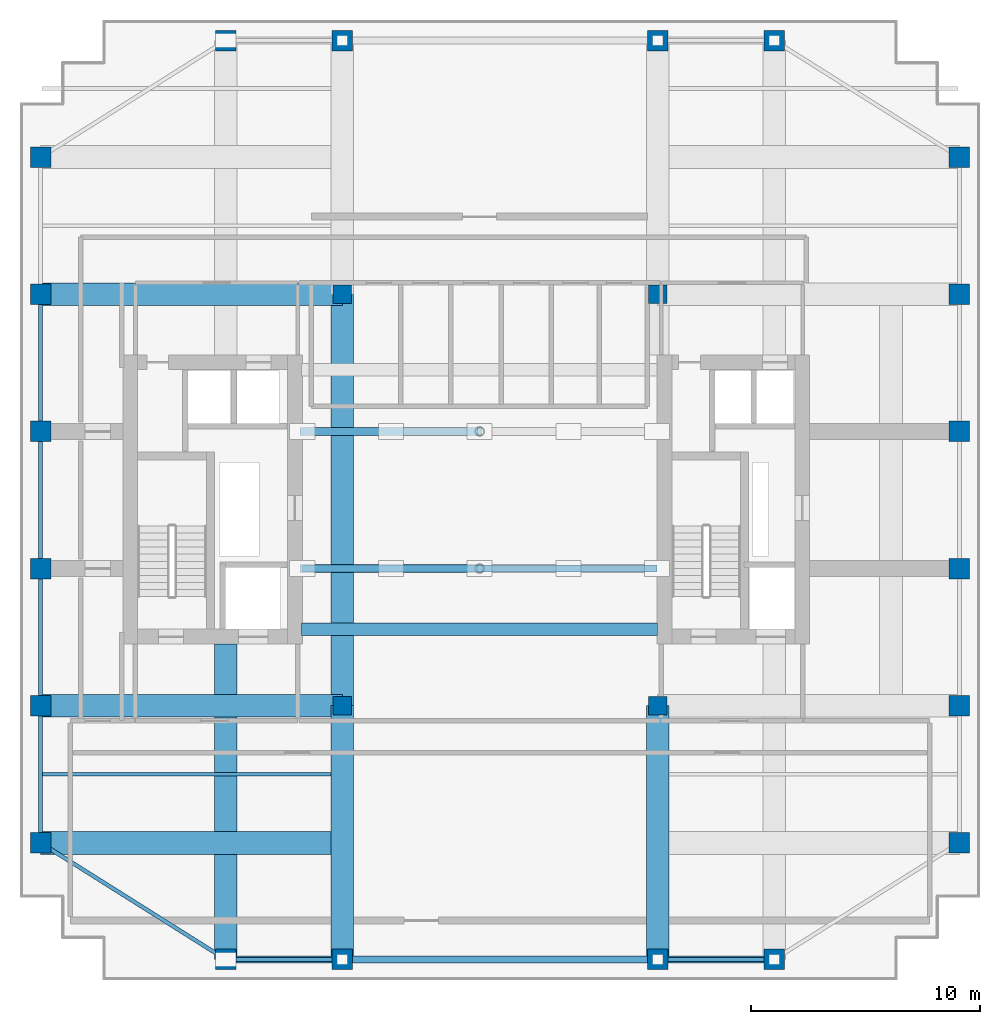
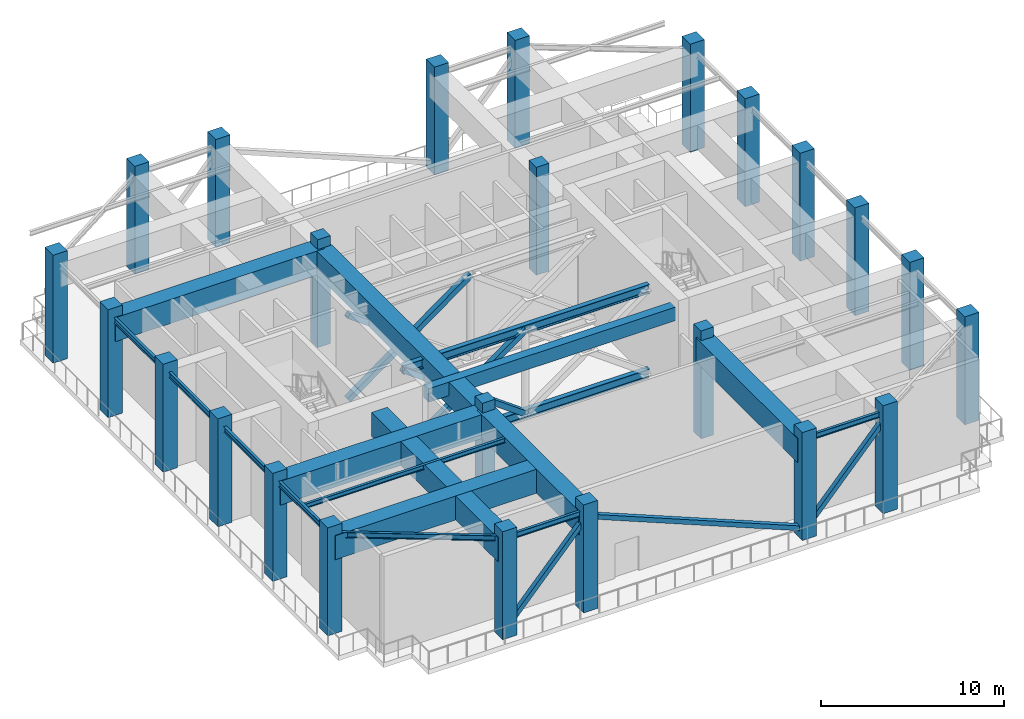
# One storey, part 1 of 9: 24 columns, 16 beams, 10 members.
"""IFC4 building model written with IfcOpenShell, lengths in metres."""

from ifc_helpers import new_model, si_unit, direction, frame, origin, origin_2d, place, context, subcontext, project, spatial, rectangle, hollow_rectangle, i_section, extrude, source, transform, mapped, material, material_profile, profile_set, type_object, element, save


model = new_model("IFC4")

# Units and contexts
model_context = context("Model", 3, precision=1e-05, world=origin(), true_north=direction((0.0, 1.0)))
body_context = subcontext(model_context, "Body", "Model", "MODEL_VIEW")
ifc_project = project(units=[si_unit("LENGTHUNIT", "METRE"), si_unit("AREAUNIT", "SQUARE_METRE"), si_unit("VOLUMEUNIT", "CUBIC_METRE"), si_unit("PLANEANGLEUNIT", "RADIAN"), si_unit("MASSUNIT", "GRAM", prefix="KILO")], contexts=[model_context])

# Site, building, storey
site_placement = place(None, origin())
site = spatial("IfcSite", under=ifc_project, at=site_placement, CompositionType="ELEMENT")
building_placement = place(site_placement, origin())
building = spatial("IfcBuilding", under=site, at=building_placement, Name="Khoralis Quay Care Tower", CompositionType="ELEMENT")
storey_placement = place(building_placement, frame((0.0, 0.0, 220.5)))
storey = spatial("IfcBuildingStorey", under=building, at=storey_placement, Name="L58", CompositionType="ELEMENT", Elevation=220.5)

# Columns
ifc_material_1 = material(Name="Concrete C65/80", Category="concrete")
ifc_material_profile_1 = material_profile(ifc_material_1, rectangle(XDim=0.89990234375, YDim=0.89990234375, at=origin_2d()), Name="Concrete C65/80")
ifc_profile_set_1 = profile_set([ifc_material_profile_1], Name="Concrete C65/80")
column_type_1 = type_object("IfcColumnType", Name="COL-C900", PredefinedType="COLUMN", material=ifc_profile_set_1)
shared_shape_1 = source(origin(), body_context, "Body", "SweptSolid", [
    extrude(rectangle(XDim=0.89990234375, YDim=0.89990234375, at=origin_2d()), origin(), (0.0, 0.0, 1.0), 7.199951171875),
])
for number, where, z_axis, x_axis, name in (
    (1, (12.0, 0.89990234375, 0.0), (0.0, 0.0, 1.0), (1.0, 0.0, 0.0), "COL-TWR-L58-X120Y9"),
    (2, (12.0, 41.10009765625, 0.0), (0.0, 0.0, 1.0), (1.0, 0.0, 0.0), "COL-TWR-L58-X120Y411"),
    (3, (17.10009765625, 0.89990234375, 0.0), (0.0, 0.0, 1.0), (1.0, 0.0, 0.0), "COL-TWR-L58-X171Y9"),
    (4, (17.10009765625, 41.10009765625, 0.0), (0.0, 0.0, 1.0), (1.0, 0.0, 0.0), "COL-TWR-L58-X171Y411"),
    (5, (30.89990234375, 0.89990234375, 0.0), (0.0, 0.0, 1.0), (1.0, 0.0, 0.0), "COL-TWR-L58-X309Y9"),
    (6, (30.89990234375, 41.10009765625, 0.0), (0.0, 0.0, 1.0), (1.0, 0.0, 0.0), "COL-TWR-L58-X309Y411"),
    (7, (36.0, 0.89990234375, 0.0), (0.0, 0.0, 1.0), (1.0, 0.0, 0.0), "COL-TWR-L58-X360Y9"),
    (8, (36.0, 41.10009765625, 0.0), (0.0, 0.0, 1.0), (1.0, 0.0, 0.0), "COL-TWR-L58-X360Y411"),
    (9, (3.89990234375, 6.0, 0.0), (0.0, 0.0, 1.0), (1.0, 0.0, 0.0), "COL-TWR-L58-X39Y60"),
    (10, (44.10009765625, 6.0, 0.0), (0.0, 0.0, 1.0), (1.0, 0.0, 0.0), "COL-TWR-L58-X441Y60"),
    (11, (3.89990234375, 12.0, 0.0), (0.0, 0.0, 1.0), (1.0, 0.0, 0.0), "COL-TWR-L58-X39Y120"),
    (12, (44.10009765625, 12.0, 0.0), (0.0, 0.0, 1.0), (1.0, 0.0, 0.0), "COL-TWR-L58-X441Y120"),
    (13, (3.89990234375, 18.0, 0.0), (0.0, 0.0, 1.0), (1.0, 0.0, 0.0), "COL-TWR-L58-X39Y180"),
    (14, (44.10009765625, 18.0, 0.0), (0.0, 0.0, 1.0), (1.0, 0.0, 0.0), "COL-TWR-L58-X441Y180"),
    (15, (3.89990234375, 24.0, 0.0), (0.0, 0.0, 1.0), (1.0, 0.0, 0.0), "COL-TWR-L58-X39Y240"),
    (16, (44.10009765625, 24.0, 0.0), (0.0, 0.0, 1.0), (1.0, 0.0, 0.0), "COL-TWR-L58-X441Y240"),
    (17, (3.89990234375, 30.0, 0.0), (0.0, 0.0, 1.0), (1.0, 0.0, 0.0), "COL-TWR-L58-X39Y300"),
    (18, (44.10009765625, 30.0, 0.0), (0.0, 0.0, 1.0), (1.0, 0.0, 0.0), "COL-TWR-L58-X441Y300"),
    (19, (3.89990234375, 36.0, 0.0), (0.0, 0.0, 1.0), (1.0, 0.0, 0.0), "COL-TWR-L58-X39Y360"),
    (20, (44.10009765625, 36.0, 0.0), (0.0, 0.0, 1.0), (1.0, 0.0, 0.0), "COL-TWR-L58-X441Y360"),
):
    element("IfcColumn", number, at=place(storey_placement, frame(where, z_axis=z_axis, x_axis=x_axis)), inside=storey, type_object=column_type_1, Name=name, PredefinedType="COLUMN", context=body_context, shape_type="MappedRepresentation", body=[
        mapped(shared_shape_1, transform((0.0, 0.0, 0.0), scale=1.0)),
    ])
ifc_material_2 = material(Name="Concrete C50/60", Category="concrete")
ifc_material_profile_2 = material_profile(ifc_material_2, rectangle(XDim=0.800048828125, YDim=0.800048828125, at=origin_2d()), Name="Concrete C50/60")
ifc_profile_set_2 = profile_set([ifc_material_profile_2], Name="Concrete C50/60")
column_type_2 = type_object("IfcColumnType", Name="COL-C800", PredefinedType="COLUMN", material=ifc_profile_set_2)
shared_shape_2 = source(origin(), body_context, "Body", "SweptSolid", [
    extrude(rectangle(XDim=0.800048828125, YDim=0.800048828125, at=origin_2d()), origin(), (0.0, 0.0, 1.0), 7.199951171875),
])
for number, where, z_axis, x_axis, name in (
    (21, (17.10009765625, 12.0, 0.0), (0.0, 0.0, 1.0), (1.0, 0.0, 0.0), "COL-TWR-L58-X171Y120"),
    (22, (17.10009765625, 30.0, 0.0), (0.0, 0.0, 1.0), (1.0, 0.0, 0.0), "COL-TWR-L58-X171Y300"),
    (23, (30.89990234375, 12.0, 0.0), (0.0, 0.0, 1.0), (1.0, 0.0, 0.0), "COL-TWR-L58-X309Y120"),
    (24, (30.89990234375, 30.0, 0.0), (0.0, 0.0, 1.0), (1.0, 0.0, 0.0), "COL-TWR-L58-X309Y300"),
):
    element("IfcColumn", number, at=place(storey_placement, frame(where, z_axis=z_axis, x_axis=x_axis)), inside=storey, type_object=column_type_2, Name=name, PredefinedType="COLUMN", context=body_context, shape_type="MappedRepresentation", body=[
        mapped(shared_shape_2, transform((0.0, 0.0, 0.0), scale=1.0)),
    ])

# Beams
ifc_material_profile_3 = material_profile(ifc_material_1, rectangle(XDim=0.550048828125, YDim=0.89990234375, at=origin_2d()), Name="Concrete C65/80")
ifc_profile_set_3 = profile_set([ifc_material_profile_3], Name="Concrete C65/80")
beam_type_1 = type_object("IfcBeamType", Name="CB-RC550X900", PredefinedType="LINTEL", material=ifc_profile_set_3)
shared_shape_3 = source(origin(), body_context, "Body", "SweptSolid", [
    extrude(rectangle(XDim=0.550048828125, YDim=0.89990234375, at=origin_2d()), origin(), (0.0, 0.0, 1.0), 15.579833984375),
])
beam_1_placement = place(storey_placement, frame((15.320068359375, 15.35009765625, 6.10009765625), z_axis=(1.0, 0.0, 0.0), x_axis=(0.0, 1.0, 0.0)))
element("IfcBeam", 25, at=beam_1_placement, inside=storey, type_object=beam_type_1, Name="L58 South Core Coupling Lintel", PredefinedType="LINTEL", context=body_context, shape_type="MappedRepresentation", body=[
    mapped(shared_shape_3, transform((0.0, 0.0, 0.0), scale=1.0)),
])
ifc_material_3 = material(Name="Concrete C80/95", Category="concrete")
ifc_material_profile_4 = material_profile(ifc_material_3, rectangle(XDim=1.0, YDim=1.60009765625, at=origin_2d()), Name="Concrete C80/95")
ifc_profile_set_4 = profile_set([ifc_material_profile_4], Name="Concrete C80/95")
beam_type_2 = type_object("IfcBeamType", Name="TG-RC1000X1600", PredefinedType="BEAM", material=ifc_profile_set_4)
shared_shape_4 = source(origin(), body_context, "Body", "SweptSolid", [
    extrude(rectangle(XDim=1.0, YDim=1.60009765625, at=origin_2d()), origin(), (0.0, 0.0, 1.0), 11.10009765625),
])
for number, where, z_axis, x_axis, name in (
    (26, (17.10009765625, 0.89990234375, 5.75), (0.0, 1.0, 0.0), (-1.0, 0.0, 0.0), "L58 Transfer girder BM-TGYS-L58-171"),
    (27, (30.89990234375, 0.89990234375, 5.75), (0.0, 1.0, 0.0), (-1.0, 0.0, 0.0), "L58 Transfer girder BM-TGYS-L58-309"),
):
    element("IfcBeam", number, at=place(storey_placement, frame(where, z_axis=z_axis, x_axis=x_axis)), inside=storey, type_object=beam_type_2, Name=name, PredefinedType="BEAM", context=body_context, shape_type="MappedRepresentation", body=[
        mapped(shared_shape_4, transform((0.0, 0.0, 0.0), scale=1.0)),
    ])
shared_shape_5 = source(origin(), body_context, "Body", "SweptSolid", [
    extrude(rectangle(XDim=1.0, YDim=1.60009765625, at=origin_2d()), origin(), (0.0, 0.0, 1.0), 18.0),
])
beam_2_placement = place(storey_placement, frame((17.10009765625, 12.0, 5.75), z_axis=(0.0, 1.0, 0.0), x_axis=(-1.0, 0.0, 0.0)))
element("IfcBeam", 28, at=beam_2_placement, inside=storey, type_object=beam_type_2, Name="L58 Transfer girder BM-TGSW-L58", PredefinedType="BEAM", context=body_context, shape_type="MappedRepresentation", body=[
    mapped(shared_shape_5, transform((0.0, 0.0, 0.0), scale=1.0)),
])
shared_shape_6 = source(origin(), body_context, "Body", "SweptSolid", [
    extrude(rectangle(XDim=1.0, YDim=1.60009765625, at=origin_2d()), origin(), (0.0, 0.0, 1.0), 12.712158203125),
])
beam_3_placement = place(storey_placement, frame((3.89990234375, 6.0, 5.75), z_axis=(1.0, 0.0, 0.0), x_axis=(0.0, 1.0, 0.0)))
element("IfcBeam", 29, at=beam_3_placement, inside=storey, type_object=beam_type_2, Name="L58 Transfer girder BM-TGXW-L58-60", PredefinedType="BEAM", context=body_context, shape_type="MappedRepresentation", body=[
    mapped(shared_shape_6, transform((0.0, 0.0, 0.0), scale=1.0)),
])
shared_shape_7 = source(origin(), body_context, "Body", "SweptSolid", [
    extrude(rectangle(XDim=1.0, YDim=1.60009765625, at=origin_2d()), origin(), (0.0, 0.0, 1.0), 13.2001953125),
])
for number, where, z_axis, x_axis, name in (
    (30, (3.89990234375, 12.0, 5.75), (1.0, 0.0, 0.0), (0.0, 1.0, 0.0), "L58 Transfer girder BM-TGXW-L58-120"),
    (31, (3.89990234375, 30.0, 5.75), (1.0, 0.0, 0.0), (0.0, 1.0, 0.0), "L58 Transfer girder BM-TGXW-L58-300"),
):
    element("IfcBeam", number, at=place(storey_placement, frame(where, z_axis=z_axis, x_axis=x_axis)), inside=storey, type_object=beam_type_2, Name=name, PredefinedType="BEAM", context=body_context, shape_type="MappedRepresentation", body=[
        mapped(shared_shape_7, transform((0.0, 0.0, 0.0), scale=1.0)),
    ])
ifc_material_4 = material(Name="Steel S355", Category="steel")
ifc_material_profile_5 = material_profile(ifc_material_4, i_section(OverallWidth=0.169921875, OverallDepth=0.360107421875, WebThickness=0.008056640625, FlangeThickness=0.0126953125, FilletRadius=0.01806640625, at=origin_2d()), Name="Steel S355")
ifc_profile_set_5 = profile_set([ifc_material_profile_5], Name="Steel S355")
beam_type_3 = type_object("IfcBeamType", Name="BM-IPE360", PredefinedType="SPANDREL", material=ifc_profile_set_5)
shared_shape_8 = source(origin(), body_context, "Body", "SweptSolid", [
    extrude(i_section(OverallWidth=0.169921875, OverallDepth=0.360107421875, WebThickness=0.008056640625, FlangeThickness=0.0126953125, FilletRadius=0.01806640625, at=origin_2d()), origin(), (0.0, 0.0, 1.0), 5.10009765625),
])
for number, where, z_axis, x_axis, name in (
    (32, (12.0, 0.89990234375, 6.3701171875), (1.0, 0.0, 0.0), (0.0, 1.0, 0.0), "BM-TSP-L58-01"),
    (33, (30.89990234375, 0.89990234375, 6.3701171875), (1.0, 0.0, 0.0), (0.0, 1.0, 0.0), "BM-TSP-L58-02"),
):
    element("IfcBeam", number, at=place(storey_placement, frame(where, z_axis=z_axis, x_axis=x_axis)), inside=storey, type_object=beam_type_3, Name=name, PredefinedType="SPANDREL", context=body_context, shape_type="MappedRepresentation", body=[
        mapped(shared_shape_8, transform((0.0, 0.0, 0.0), scale=1.0)),
    ])
shared_shape_9 = source(origin(), body_context, "Body", "SweptSolid", [
    extrude(i_section(OverallWidth=0.169921875, OverallDepth=0.360107421875, WebThickness=0.008056640625, FlangeThickness=0.0126953125, FilletRadius=0.01806640625, at=origin_2d()), origin(), (0.0, 0.0, 1.0), 6.0),
])
for number, where, z_axis, x_axis, name in (
    (34, (3.89990234375, 6.0, 6.3701171875), (0.0, 1.0, 0.0), (-1.0, 0.0, 0.0), "BM-TSP-L58-05"),
    (35, (3.89990234375, 12.0, 6.3701171875), (0.0, 1.0, 0.0), (-1.0, 0.0, 0.0), "BM-TSP-L58-06"),
    (36, (3.89990234375, 18.0, 6.3701171875), (0.0, 1.0, 0.0), (-1.0, 0.0, 0.0), "BM-TSP-L58-07"),
    (37, (3.89990234375, 24.0, 6.3701171875), (0.0, 1.0, 0.0), (-1.0, 0.0, 0.0), "BM-TSP-L58-08"),
):
    element("IfcBeam", number, at=place(storey_placement, frame(where, z_axis=z_axis, x_axis=x_axis)), inside=storey, type_object=beam_type_3, Name=name, PredefinedType="SPANDREL", context=body_context, shape_type="MappedRepresentation", body=[
        mapped(shared_shape_9, transform((0.0, 0.0, 0.0), scale=1.0)),
    ])
shared_shape_10 = source(origin(), body_context, "Body", "SweptSolid", [
    extrude(i_section(OverallWidth=0.169921875, OverallDepth=0.360107421875, WebThickness=0.008056640625, FlangeThickness=0.0126953125, FilletRadius=0.01806640625, at=origin_2d()), origin(), (0.0, 0.0, 1.0), 9.572021484375),
])
beam_4_placement = place(storey_placement, frame((12.0, 0.89990234375, 6.3701171875), z_axis=(-0.846231136359, 0.532815975602, 0.0), x_axis=(-0.532815975602, -0.846231136359, 0.0)))
element("IfcBeam", 38, at=beam_4_placement, inside=storey, type_object=beam_type_3, Name="BM-TCR-L58-15", PredefinedType="SPANDREL", context=body_context, shape_type="MappedRepresentation", body=[
    mapped(shared_shape_10, transform((0.0, 0.0, 0.0), scale=1.0)),
])
shared_shape_11 = source(origin(), body_context, "Body", "SweptSolid", [
    extrude(rectangle(XDim=1.0, YDim=1.60009765625, at=origin_2d()), origin(), (0.0, 0.0, 1.0), 13.802001953125),
])
beam_5_placement = place(storey_placement, frame((12.0, 0.89990234375, 5.75), z_axis=(0.0, 1.0, 0.0), x_axis=(-1.0, 0.0, 0.0)))
element("IfcBeam", 39, at=beam_5_placement, inside=storey, type_object=beam_type_2, Name="L58 Transfer girder BM-TGYS-L58-120", PredefinedType="BEAM", context=body_context, shape_type="MappedRepresentation", body=[
    mapped(shared_shape_11, transform((0.0, 0.0, 0.0), scale=1.0)),
])
ifc_material_profile_6 = material_profile(ifc_material_4, i_section(OverallWidth=0.1650390625, OverallDepth=0.31005859375, WebThickness=0.005859375, FlangeThickness=0.009765625, FilletRadius=0.011962890625, at=origin_2d()), Name="Steel S355")
ifc_profile_set_6 = profile_set([ifc_material_profile_6], Name="Steel S355")
beam_type_4 = type_object("IfcBeamType", Name="BM-W310X39", PredefinedType="JOIST", material=ifc_profile_set_6)
shared_shape_12 = source(origin(), body_context, "Body", "SweptSolid", [
    extrude(i_section(OverallWidth=0.1650390625, OverallDepth=0.31005859375, WebThickness=0.005859375, FlangeThickness=0.009765625, FilletRadius=0.011962890625, at=origin_2d()), origin(), (0.0, 0.0, 1.0), 12.64111328125),
])
beam_6_placement = place(storey_placement, frame((3.970947265625, 9.0, 6.39501953125), z_axis=(1.0, 0.0, 0.0), x_axis=(0.0, 1.0, 0.0)))
element("IfcBeam", 40, at=beam_6_placement, inside=storey, type_object=beam_type_4, Name="BM-TJS-L58-19", PredefinedType="JOIST", context=body_context, shape_type="MappedRepresentation", body=[
    mapped(shared_shape_12, transform((0.0, 0.0, 0.0), scale=1.0)),
])

# Members
ifc_material_profile_7 = material_profile(ifc_material_4, i_section(OverallWidth=0.300048828125, OverallDepth=0.60009765625, WebThickness=0.015380859375, FlangeThickness=0.030029296875, FilletRadius=0.027099609375, at=origin_2d()), Name="Steel S355")
ifc_profile_set_7 = profile_set([ifc_material_profile_7], Name="Steel S355")
member_type_1 = type_object("IfcMemberType", Name="CH-HEB600", PredefinedType="CHORD", material=ifc_profile_set_7)
shared_shape_13 = source(origin(), body_context, "Body", "SweptSolid", [
    extrude(i_section(OverallWidth=0.300048828125, OverallDepth=0.60009765625, WebThickness=0.015380859375, FlangeThickness=0.030029296875, FilletRadius=0.027099609375, at=origin_2d()), origin(), (0.0, 0.0, 1.0), 15.52001953125),
])
for number, where, z_axis, x_axis, name in (
    (41, (15.35009765625, 18.0, 0.449951171875), (1.0, 0.0, 0.0), (0.0, 1.0, 0.0), "MBR-L58-CHB-18"),
    (42, (15.35009765625, 18.0, 6.10009765625), (1.0, 0.0, 0.0), (0.0, 1.0, 0.0), "MBR-L58-CHT-18"),
):
    element("IfcMember", number, at=place(storey_placement, frame(where, z_axis=z_axis, x_axis=x_axis)), inside=storey, type_object=member_type_1, Name=name, PredefinedType="CHORD", context=body_context, shape_type="MappedRepresentation", body=[
        mapped(shared_shape_13, transform((0.0, 0.0, 0.0), scale=1.0)),
    ])
ifc_material_profile_8 = material_profile(ifc_material_4, hollow_rectangle(XDim=0.35009765625, YDim=0.35009765625, WallThickness=0.01611328125, at=origin_2d()), Name="Steel S355")
ifc_profile_set_8 = profile_set([ifc_material_profile_8], Name="Steel S355")
member_type_2 = type_object("IfcMemberType", Name="BR-RHS350X350X16", PredefinedType="BRACE", material=ifc_profile_set_8)
shared_shape_14 = source(origin(), body_context, "Body", "SweptSolid", [
    extrude(hollow_rectangle(XDim=0.35009765625, YDim=0.35009765625, WallThickness=0.01611328125, at=origin_2d()), origin(), (0.0, 0.0, 1.0), 9.59912109375),
])
for number, where, z_axis, x_axis, name in (
    (43, (15.35009765625, 18.0, 0.449951171875), (0.808413709649, 0.0, 0.588614707642), (0.0, 1.0, 0.0), "L58 Outrigger Truss Continuous Diagonal 1"),
    (44, (15.35009765625, 24.0, 0.449951171875), (0.808413709649, 0.0, 0.588614707642), (0.0, 1.0, 0.0), "L58 Outrigger Truss Continuous Diagonal 5"),
):
    element("IfcMember", number, at=place(storey_placement, frame(where, z_axis=z_axis, x_axis=x_axis)), inside=storey, type_object=member_type_2, Name=name, PredefinedType="BRACE", context=body_context, shape_type="MappedRepresentation", body=[
        mapped(shared_shape_14, transform((0.0, 0.0, 0.0), scale=1.0)),
    ])
shared_shape_15 = source(origin(), body_context, "Body", "SweptSolid", [
    extrude(hollow_rectangle(XDim=0.35009765625, YDim=0.35009765625, WallThickness=0.01611328125, at=origin_2d()), origin(), (0.0, 0.0, 1.0), 4.789306640625),
])
for number, where, z_axis, x_axis, name in (
    (45, (15.35009765625, 18.0, 6.10009765625), (0.808416336354, 0.0, -0.588611100062), (0.0, 1.0, 0.0), "L58 Outrigger Split Diagonal 2A"),
    (46, (15.35009765625, 24.0, 6.10009765625), (0.808416336354, 0.0, -0.588611100062), (0.0, 1.0, 0.0), "L58 Outrigger Split Diagonal 6A"),
):
    element("IfcMember", number, at=place(storey_placement, frame(where, z_axis=z_axis, x_axis=x_axis)), inside=storey, type_object=member_type_2, Name=name, PredefinedType="BRACE", context=body_context, shape_type="MappedRepresentation", body=[
        mapped(shared_shape_15, transform((0.0, 0.0, 0.0), scale=1.0)),
    ])
shared_shape_16 = source(origin(), body_context, "Body", "SweptSolid", [
    extrude(hollow_rectangle(XDim=0.35009765625, YDim=0.35009765625, WallThickness=0.01611328125, at=origin_2d()), origin(), (0.0, 0.0, 1.0), 4.78955078125),
])
member_1_placement = place(storey_placement, frame((19.238037109375, 18.0, 3.26904296875), z_axis=(0.808433996298, 0.0, -0.588586844594), x_axis=(0.0, 1.0, 0.0)))
element("IfcMember", 47, at=member_1_placement, inside=storey, type_object=member_type_2, Name="L58 Outrigger Split Diagonal 2B", PredefinedType="BRACE", context=body_context, shape_type="MappedRepresentation", body=[
    mapped(shared_shape_16, transform((0.0, 0.0, 0.0), scale=1.0)),
])
ifc_material_profile_9 = material_profile(ifc_material_4, hollow_rectangle(XDim=0.300048828125, YDim=0.300048828125, WallThickness=0.01611328125, at=origin_2d()), Name="Steel S355")
ifc_profile_set_9 = profile_set([ifc_material_profile_9], Name="Steel S355")
member_type_3 = type_object("IfcMemberType", Name="BR-RHS300X300X16", PredefinedType="BRACE", material=ifc_profile_set_9)
shared_shape_17 = source(origin(), body_context, "Body", "SweptSolid", [
    extrude(hollow_rectangle(XDim=0.300048828125, YDim=0.300048828125, WallThickness=0.01611328125, at=origin_2d()), origin(), (0.0, 0.0, 1.0), 7.611572265625),
])
for number, where, z_axis, x_axis, name in (
    (48, (12.0, 0.89990234375, 0.449951171875), (0.670050319951, 0.0, 0.742315679973), (0.0, 1.0, 0.0), "L58 Belt truss diagonal 1"),
    (49, (30.89990234375, 0.89990234375, 0.449951171875), (0.670050319951, 0.0, 0.742315679973), (0.0, 1.0, 0.0), "L58 Belt truss diagonal 3"),
):
    element("IfcMember", number, at=place(storey_placement, frame(where, z_axis=z_axis, x_axis=x_axis)), inside=storey, type_object=member_type_3, Name=name, PredefinedType="BRACE", context=body_context, shape_type="MappedRepresentation", body=[
        mapped(shared_shape_17, transform((0.0, 0.0, 0.0), scale=1.0)),
    ])
shared_shape_18 = source(origin(), body_context, "Body", "SweptSolid", [
    extrude(hollow_rectangle(XDim=0.300048828125, YDim=0.300048828125, WallThickness=0.01611328125, at=origin_2d()), origin(), (0.0, 0.0, 1.0), 14.91162109375),
])
member_2_placement = place(storey_placement, frame((17.10009765625, 0.89990234375, 6.10009765625), z_axis=(0.925434771765, 0.0, -0.378906958512), x_axis=(0.0, 1.0, 0.0)))
element("IfcMember", 50, at=member_2_placement, inside=storey, type_object=member_type_3, Name="L58 Belt truss diagonal 2", PredefinedType="BRACE", context=body_context, shape_type="MappedRepresentation", body=[
    mapped(shared_shape_18, transform((0.0, 0.0, 0.0), scale=1.0)),
])

save(model, "model.ifc")
